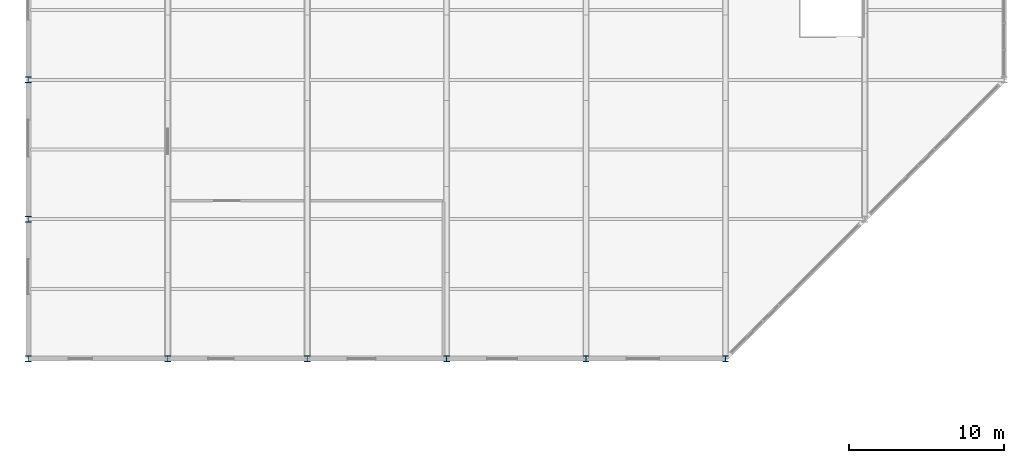
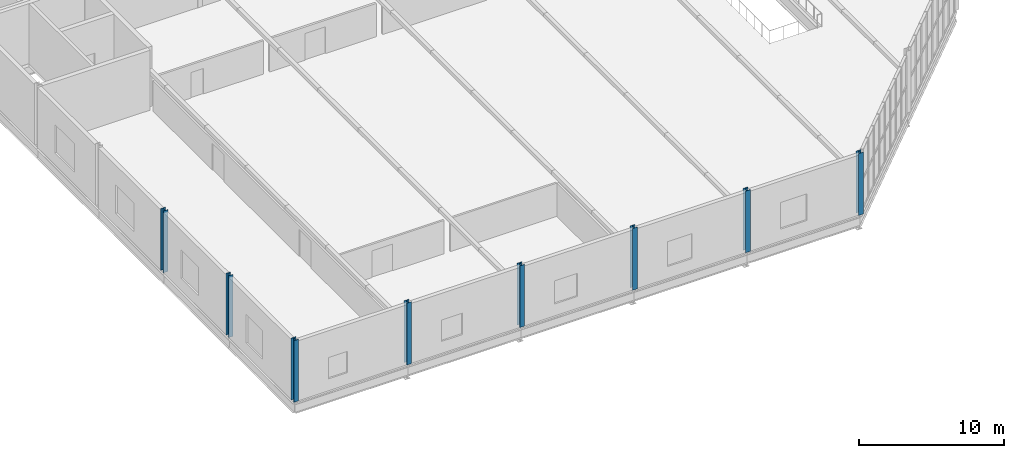
# One storey, part 1 of 134: 8 columns.
"""IFC4 building model written with IfcOpenShell, lengths in metres."""

from ifc_helpers import new_model, si_unit, direction, frame, origin, origin_2d, place, context, subcontext, project, spatial, i_section, extrude, material, material_profile, profile_set, type_object, element, save


model = new_model("IFC4")

# Units and contexts
model_context = context("Model", 3, precision=1e-05, world=origin(), true_north=direction((0.0, 1.0)))
body_context = subcontext(model_context, "Body", "Model", "MODEL_VIEW")
ifc_project = project(units=[si_unit("LENGTHUNIT", "METRE"), si_unit("AREAUNIT", "SQUARE_METRE"), si_unit("VOLUMEUNIT", "CUBIC_METRE"), si_unit("PLANEANGLEUNIT", "RADIAN"), si_unit("MASSUNIT", "GRAM", prefix="KILO")], contexts=[model_context])

# Site, building, storey
site_placement = place(None, origin())
site = spatial("IfcSite", under=ifc_project, at=site_placement, CompositionType="ELEMENT")
building_placement = place(site_placement, origin())
building = spatial("IfcBuilding", under=site, at=building_placement, Name="Cazmaro Siding Exhibition Halls", CompositionType="ELEMENT")
storey_placement = place(building_placement, frame((0.0, 0.0, 12.0)))
storey = spatial("IfcBuildingStorey", under=building, at=storey_placement, Name="L02", CompositionType="ELEMENT", Elevation=12.0)

# Columns
ifc_material = material(Name="Steel ASTM A992 Grade 50", Category="steel")
ifc_material_profile = material_profile(ifc_material, i_section(OverallWidth=0.373046875, OverallDepth=0.373046875, WebThickness=0.01611328125, FlangeThickness=0.02587890625, at=origin_2d()), Name="W14X132")
ifc_profile_set = profile_set([ifc_material_profile], Name="Steel ASTM A992 Grade 50")
column_type = type_object("IfcColumnType", Name="C-04", PredefinedType="COLUMN", material=ifc_profile_set)
for number, where, z_axis, x_axis, name in (
    (1, (0.0, 9.0, 0.0), (0.0, 0.0, 1.0), (1.0, 0.0, 0.0), "Column C-04 COL-0795"),
    (2, (9.0, 9.0, 0.0), (0.0, 0.0, 1.0), (1.0, 0.0, 0.0), "Column C-04 COL-0798"),
    (3, (18.0, 9.0, 0.0), (0.0, 0.0, 1.0), (1.0, 0.0, 0.0), "Column C-04 COL-0801"),
    (4, (27.0, 9.0, 0.0), (0.0, 0.0, 1.0), (1.0, 0.0, 0.0), "Column C-04 COL-0804"),
    (5, (36.0, 9.0, 0.0), (0.0, 0.0, 1.0), (1.0, 0.0, 0.0), "Column C-04 COL-0807"),
    (6, (45.0, 9.0, 0.0), (0.0, 0.0, 1.0), (1.0, 0.0, 0.0), "Column C-04 COL-0810"),
    (7, (0.0, 27.0, 0.0), (0.0, 0.0, 1.0), (1.0, 0.0, 0.0), "Column C-04 COL-0855"),
    (8, (0.0, 18.0, 0.0), (0.0, 0.0, 1.0), (1.0, 0.0, 0.0), "Column C-04 COL-0858"),
):
    element("IfcColumn", number, at=place(storey_placement, frame(where, z_axis=z_axis, x_axis=x_axis)), inside=storey, type_object=column_type, Name=name, PredefinedType="COLUMN", context=body_context, shape_type="SweptSolid", body=[
        extrude(i_section(OverallWidth=0.373046875, OverallDepth=0.373046875, WebThickness=0.01611328125, FlangeThickness=0.02587890625, at=origin_2d()), origin(), (0.0, 0.0, 1.0), 5.199951171875),
    ])

save(model, "model.ifc")
